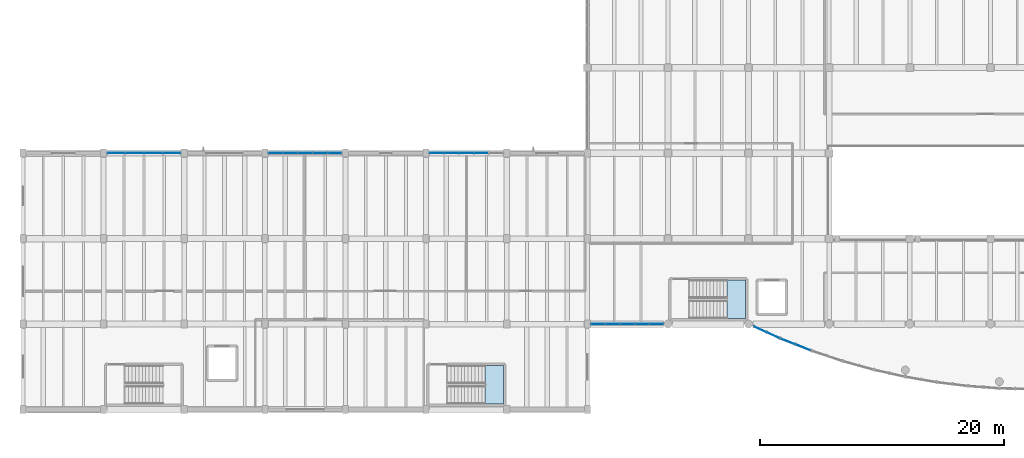
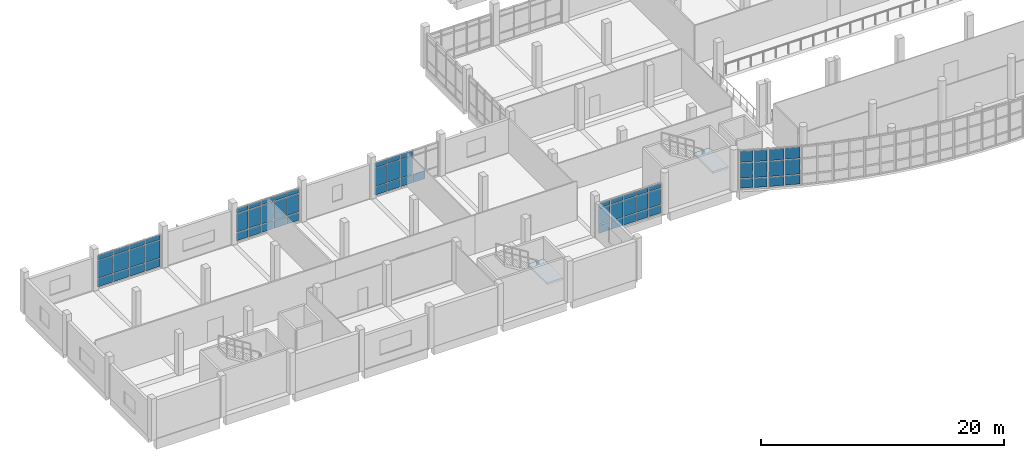
# One storey, part 36 of 67: 64 plates, 2 slabs, 8 elements without a shape of their own.
"""IFC4 building model written with IfcOpenShell, lengths in metres."""

from ifc_helpers import new_model, si_unit, direction, frame, origin, origin_2d, place, context, subcontext, project, spatial, polyline, rectangle, outline, extrude, material, layer, layer_set, type_object, element, aggregate, save


model = new_model("IFC4")

# Units and contexts
model_context = context("Model", 3, precision=1e-05, world=origin(), true_north=direction((0.0, 1.0)))
body_context = subcontext(model_context, "Body", "Model", "MODEL_VIEW")
ifc_project = project(units=[si_unit("LENGTHUNIT", "METRE"), si_unit("AREAUNIT", "SQUARE_METRE"), si_unit("VOLUMEUNIT", "CUBIC_METRE"), si_unit("PLANEANGLEUNIT", "RADIAN"), si_unit("MASSUNIT", "GRAM", prefix="KILO")], contexts=[model_context])

# Site, building, storey
site_placement = place(None, origin())
site = spatial("IfcSite", under=ifc_project, at=site_placement, CompositionType="ELEMENT")
building_placement = place(site_placement, origin())
building = spatial("IfcBuilding", under=site, at=building_placement, Name="Ciguamira Faculty of Natural Sciences", CompositionType="ELEMENT")
storey_placement = place(building_placement, frame((0.0, 0.0, 8.39990234375)))
storey = spatial("IfcBuildingStorey", under=building, at=storey_placement, Name="L02", CompositionType="ELEMENT", Elevation=8.39990234375)

# Curtain wall, plates
ifc_material_1 = material(Name="Anodized aluminium curtain wall", Category="aluminium")
curtain_wall_type_1 = type_object("IfcCurtainWallType", Name="CurtainWall_CW-09", PredefinedType="USERDEFINED", material=ifc_material_1)
curtain_wall_1_placement = place(storey_placement, origin())
curtain_wall_1 = element("IfcCurtainWall", 1, at=curtain_wall_1_placement, inside=storey, type_object=curtain_wall_type_1, Name="L02 unitised curtain wall 0057", ObjectType="UNITISED CURTAIN WALL", PredefinedType="USERDEFINED")
ifc_material_2 = material(Name="Low-E laminated solar glass", Category="glass")
ifc_layer_1 = layer(ifc_material_2, 0.028076171875, Name="Low-E laminated solar glass")
ifc_layer_set_1 = layer_set([ifc_layer_1], Name="Low-E laminated solar glass")
plate_type_1 = type_object("IfcPlateType", Name="CWPanel_CWP-01", PredefinedType="CURTAIN_PANEL", material=ifc_layer_set_1)
plate_1_placement = place(storey_placement, frame((25.179931640625, 24.0, 0.080078125), z_axis=(0.0, 0.0, 1.0), x_axis=(1.0, 0.0, 0.0)))
plate_1 = element("IfcPlate", 2, at=plate_1_placement, type_object=plate_type_1, Name="CW-09 panel 1.1", PredefinedType="CURTAIN_PANEL", context=body_context, shape_type="SweptSolid", body=[
    extrude(rectangle(XDim=1.10009765625, YDim=0.028076171875, at=origin_2d()), origin(), (0.0, 0.0, 1.0), 0.780029296875),
])
plate_2_placement = place(storey_placement, frame((25.179931640625, 24.0, 0.940185546875), z_axis=(0.0, 0.0, 1.0), x_axis=(1.0, 0.0, 0.0)))
plate_2 = element("IfcPlate", 3, at=plate_2_placement, type_object=plate_type_1, Name="CW-09 panel 1.2", PredefinedType="CURTAIN_PANEL", context=body_context, shape_type="SweptSolid", body=[
    extrude(rectangle(XDim=1.10009765625, YDim=0.028076171875, at=origin_2d()), origin(), (0.0, 0.0, 1.0), 1.8349609375),
])
plate_3_placement = place(storey_placement, frame((25.179931640625, 24.0, 2.85498046875), z_axis=(0.0, 0.0, 1.0), x_axis=(1.0, 0.0, 0.0)))
plate_3 = element("IfcPlate", 4, at=plate_3_placement, type_object=plate_type_1, Name="CW-09 panel 1.3", PredefinedType="CURTAIN_PANEL", context=body_context, shape_type="SweptSolid", body=[
    extrude(rectangle(XDim=1.10009765625, YDim=0.028076171875, at=origin_2d()), origin(), (0.0, 0.0, 1.0), 0.429931640625),
])
plate_4_placement = place(storey_placement, frame((26.3798828125, 24.0, 0.080078125), z_axis=(0.0, 0.0, 1.0), x_axis=(1.0, 0.0, 0.0)))
plate_4 = element("IfcPlate", 5, at=plate_4_placement, type_object=plate_type_1, Name="CW-09 panel 2.1", PredefinedType="CURTAIN_PANEL", context=body_context, shape_type="SweptSolid", body=[
    extrude(rectangle(XDim=1.139892578125, YDim=0.028076171875, at=origin_2d()), origin(), (0.0, 0.0, 1.0), 0.780029296875),
])
plate_5_placement = place(storey_placement, frame((26.3798828125, 24.0, 0.940185546875), z_axis=(0.0, 0.0, 1.0), x_axis=(1.0, 0.0, 0.0)))
plate_5 = element("IfcPlate", 6, at=plate_5_placement, type_object=plate_type_1, Name="CW-09 panel 2.2", PredefinedType="CURTAIN_PANEL", context=body_context, shape_type="SweptSolid", body=[
    extrude(rectangle(XDim=1.139892578125, YDim=0.028076171875, at=origin_2d()), origin(), (0.0, 0.0, 1.0), 1.8349609375),
])
plate_6_placement = place(storey_placement, frame((26.3798828125, 24.0, 2.85498046875), z_axis=(0.0, 0.0, 1.0), x_axis=(1.0, 0.0, 0.0)))
plate_6 = element("IfcPlate", 7, at=plate_6_placement, type_object=plate_type_1, Name="CW-09 panel 2.3", PredefinedType="CURTAIN_PANEL", context=body_context, shape_type="SweptSolid", body=[
    extrude(rectangle(XDim=1.139892578125, YDim=0.028076171875, at=origin_2d()), origin(), (0.0, 0.0, 1.0), 0.429931640625),
])
plate_7_placement = place(storey_placement, frame((27.60009765625, 24.0, 0.080078125), z_axis=(0.0, 0.0, 1.0), x_axis=(1.0, 0.0, 0.0)))
plate_7 = element("IfcPlate", 8, at=plate_7_placement, type_object=plate_type_1, Name="CW-09 panel 3.1", PredefinedType="CURTAIN_PANEL", context=body_context, shape_type="SweptSolid", body=[
    extrude(rectangle(XDim=1.139892578125, YDim=0.028076171875, at=origin_2d()), origin(), (0.0, 0.0, 1.0), 0.780029296875),
])
plate_8_placement = place(storey_placement, frame((27.60009765625, 24.0, 0.940185546875), z_axis=(0.0, 0.0, 1.0), x_axis=(1.0, 0.0, 0.0)))
plate_8 = element("IfcPlate", 9, at=plate_8_placement, type_object=plate_type_1, Name="CW-09 panel 3.2", PredefinedType="CURTAIN_PANEL", context=body_context, shape_type="SweptSolid", body=[
    extrude(rectangle(XDim=1.139892578125, YDim=0.028076171875, at=origin_2d()), origin(), (0.0, 0.0, 1.0), 1.8349609375),
])
plate_9_placement = place(storey_placement, frame((27.60009765625, 24.0, 2.85498046875), z_axis=(0.0, 0.0, 1.0), x_axis=(1.0, 0.0, 0.0)))
plate_9 = element("IfcPlate", 10, at=plate_9_placement, type_object=plate_type_1, Name="CW-09 panel 3.3", PredefinedType="CURTAIN_PANEL", context=body_context, shape_type="SweptSolid", body=[
    extrude(rectangle(XDim=1.139892578125, YDim=0.028076171875, at=origin_2d()), origin(), (0.0, 0.0, 1.0), 0.429931640625),
])
plate_10_placement = place(storey_placement, frame((28.820068359375, 24.0, 0.080078125), z_axis=(0.0, 0.0, 1.0), x_axis=(1.0, 0.0, 0.0)))
plate_10 = element("IfcPlate", 11, at=plate_10_placement, type_object=plate_type_1, Name="CW-09 panel 4.1", PredefinedType="CURTAIN_PANEL", context=body_context, shape_type="SweptSolid", body=[
    extrude(rectangle(XDim=1.139892578125, YDim=0.028076171875, at=origin_2d()), origin(), (0.0, 0.0, 1.0), 0.780029296875),
])
plate_11_placement = place(storey_placement, frame((28.820068359375, 24.0, 0.940185546875), z_axis=(0.0, 0.0, 1.0), x_axis=(1.0, 0.0, 0.0)))
plate_11 = element("IfcPlate", 12, at=plate_11_placement, type_object=plate_type_1, Name="CW-09 panel 4.2", PredefinedType="CURTAIN_PANEL", context=body_context, shape_type="SweptSolid", body=[
    extrude(rectangle(XDim=1.139892578125, YDim=0.028076171875, at=origin_2d()), origin(), (0.0, 0.0, 1.0), 1.8349609375),
])
plate_12_placement = place(storey_placement, frame((28.820068359375, 24.0, 2.85498046875), z_axis=(0.0, 0.0, 1.0), x_axis=(1.0, 0.0, 0.0)))
plate_12 = element("IfcPlate", 13, at=plate_12_placement, type_object=plate_type_1, Name="CW-09 panel 4.3", PredefinedType="CURTAIN_PANEL", context=body_context, shape_type="SweptSolid", body=[
    extrude(rectangle(XDim=1.139892578125, YDim=0.028076171875, at=origin_2d()), origin(), (0.0, 0.0, 1.0), 0.429931640625),
])
plate_13_placement = place(storey_placement, frame((30.02001953125, 24.0, 0.080078125), z_axis=(0.0, 0.0, 1.0), x_axis=(1.0, 0.0, 0.0)))
plate_13 = element("IfcPlate", 14, at=plate_13_placement, type_object=plate_type_1, Name="CW-09 panel 5.1", PredefinedType="CURTAIN_PANEL", context=body_context, shape_type="SweptSolid", body=[
    extrude(rectangle(XDim=1.10009765625, YDim=0.028076171875, at=origin_2d()), origin(), (0.0, 0.0, 1.0), 0.780029296875),
])
plate_14_placement = place(storey_placement, frame((30.02001953125, 24.0, 0.940185546875), z_axis=(0.0, 0.0, 1.0), x_axis=(1.0, 0.0, 0.0)))
plate_14 = element("IfcPlate", 15, at=plate_14_placement, type_object=plate_type_1, Name="CW-09 panel 5.2", PredefinedType="CURTAIN_PANEL", context=body_context, shape_type="SweptSolid", body=[
    extrude(rectangle(XDim=1.10009765625, YDim=0.028076171875, at=origin_2d()), origin(), (0.0, 0.0, 1.0), 1.8349609375),
])
plate_15_placement = place(storey_placement, frame((30.02001953125, 24.0, 2.85498046875), z_axis=(0.0, 0.0, 1.0), x_axis=(1.0, 0.0, 0.0)))
plate_15 = element("IfcPlate", 16, at=plate_15_placement, type_object=plate_type_1, Name="CW-09 panel 5.3", PredefinedType="CURTAIN_PANEL", context=body_context, shape_type="SweptSolid", body=[
    extrude(rectangle(XDim=1.10009765625, YDim=0.028076171875, at=origin_2d()), origin(), (0.0, 0.0, 1.0), 0.429931640625),
])
aggregate(curtain_wall_1, [plate_1, plate_2, plate_3, plate_4, plate_5, plate_6, plate_7, plate_8, plate_9, plate_10, plate_11, plate_12, plate_13, plate_14, plate_15])

curtain_wall_type_2 = type_object("IfcCurtainWallType", Name="CurtainWall_CW-06", PredefinedType="USERDEFINED", material=ifc_material_1)
curtain_wall_2_placement = place(storey_placement, origin())
curtain_wall_2 = element("IfcCurtainWall", 17, at=curtain_wall_2_placement, inside=storey, type_object=curtain_wall_type_2, Name="L02 south gallery curved curtain wall 01", ObjectType="UNITISED CURTAIN WALL", PredefinedType="USERDEFINED")
plate_16_placement = place(storey_placement, frame((64.8466796875, 9.5703125, 0.080078125), z_axis=(0.0, 0.0, 1.0), x_axis=(0.910580503774, -0.41333176281, 0.0)))
plate_16 = element("IfcPlate", 18, at=plate_16_placement, type_object=plate_type_1, Name="CW-06 panel 1.1", PredefinedType="CURTAIN_PANEL", context=body_context, shape_type="SweptSolid", body=[
    extrude(rectangle(XDim=1.079345703125, YDim=0.028076171875, at=origin_2d()), origin(), (0.0, 0.0, 1.0), 0.929931640625),
])
plate_17_placement = place(storey_placement, frame((64.8466796875, 9.5703125, 1.090087890625), z_axis=(0.0, 0.0, 1.0), x_axis=(0.910580503774, -0.41333176281, 0.0)))
plate_17 = element("IfcPlate", 19, at=plate_17_placement, type_object=plate_type_1, Name="CW-06 panel 1.2", PredefinedType="CURTAIN_PANEL", context=body_context, shape_type="SweptSolid", body=[
    extrude(rectangle(XDim=1.079345703125, YDim=0.028076171875, at=origin_2d()), origin(), (0.0, 0.0, 1.0), 1.52001953125),
])
plate_18_placement = place(storey_placement, frame((64.8466796875, 9.5703125, 2.690185546875), z_axis=(0.0, 0.0, 1.0), x_axis=(0.910580503774, -0.41333176281, 0.0)))
plate_18 = element("IfcPlate", 20, at=plate_18_placement, type_object=plate_type_1, Name="CW-06 panel 1.3", PredefinedType="CURTAIN_PANEL", context=body_context, shape_type="SweptSolid", body=[
    extrude(rectangle(XDim=1.079345703125, YDim=0.028076171875, at=origin_2d()), origin(), (0.0, 0.0, 1.0), 1.1298828125),
])
plate_19_placement = place(storey_placement, frame((65.90234375, 9.091064453125, 0.080078125), z_axis=(0.0, 0.0, 1.0), x_axis=(0.910580503774, -0.41333176281, 0.0)))
plate_19 = element("IfcPlate", 21, at=plate_19_placement, type_object=plate_type_1, Name="CW-06 panel 2.1", PredefinedType="CURTAIN_PANEL", context=body_context, shape_type="SweptSolid", body=[
    extrude(rectangle(XDim=1.079345703125, YDim=0.028076171875, at=origin_2d()), origin(), (0.0, 0.0, 1.0), 0.929931640625),
])
plate_20_placement = place(storey_placement, frame((65.90234375, 9.091064453125, 1.090087890625), z_axis=(0.0, 0.0, 1.0), x_axis=(0.910580503774, -0.41333176281, 0.0)))
plate_20 = element("IfcPlate", 22, at=plate_20_placement, type_object=plate_type_1, Name="CW-06 panel 2.2", PredefinedType="CURTAIN_PANEL", context=body_context, shape_type="SweptSolid", body=[
    extrude(rectangle(XDim=1.079345703125, YDim=0.028076171875, at=origin_2d()), origin(), (0.0, 0.0, 1.0), 1.52001953125),
])
plate_21_placement = place(storey_placement, frame((65.90234375, 9.091064453125, 2.690185546875), z_axis=(0.0, 0.0, 1.0), x_axis=(0.910580503774, -0.41333176281, 0.0)))
plate_21 = element("IfcPlate", 23, at=plate_21_placement, type_object=plate_type_1, Name="CW-06 panel 2.3", PredefinedType="CURTAIN_PANEL", context=body_context, shape_type="SweptSolid", body=[
    extrude(rectangle(XDim=1.079345703125, YDim=0.028076171875, at=origin_2d()), origin(), (0.0, 0.0, 1.0), 1.1298828125),
])
aggregate(curtain_wall_2, [plate_16, plate_17, plate_18, plate_19, plate_20, plate_21])

curtain_wall_type_3 = type_object("IfcCurtainWallType", Name="CurtainWall_CW-07", PredefinedType="USERDEFINED", material=ifc_material_1)
curtain_wall_3_placement = place(storey_placement, origin())
curtain_wall_3 = element("IfcCurtainWall", 24, at=curtain_wall_3_placement, inside=storey, type_object=curtain_wall_type_3, Name="L02 south gallery curved curtain wall 02", ObjectType="UNITISED CURTAIN WALL", PredefinedType="USERDEFINED")
plate_22_placement = place(storey_placement, frame((67.126953125, 8.576171875, 0.080078125), z_axis=(0.0, 0.0, 1.0), x_axis=(0.931122296337, -0.36470710065, 0.0)))
plate_22 = element("IfcPlate", 25, at=plate_22_placement, type_object=plate_type_1, Name="CW-07 panel 1.1", PredefinedType="CURTAIN_PANEL", context=body_context, shape_type="SweptSolid", body=[
    extrude(rectangle(XDim=1.25830078125, YDim=0.028076171875, at=origin_2d()), origin(), (0.0, 0.0, 1.0), 0.929931640625),
])
plate_23_placement = place(storey_placement, frame((67.126953125, 8.576171875, 1.090087890625), z_axis=(0.0, 0.0, 1.0), x_axis=(0.931122296337, -0.36470710065, 0.0)))
plate_23 = element("IfcPlate", 26, at=plate_23_placement, type_object=plate_type_1, Name="CW-07 panel 1.2", PredefinedType="CURTAIN_PANEL", context=body_context, shape_type="SweptSolid", body=[
    extrude(rectangle(XDim=1.25830078125, YDim=0.028076171875, at=origin_2d()), origin(), (0.0, 0.0, 1.0), 1.52001953125),
])
plate_24_placement = place(storey_placement, frame((67.126953125, 8.576171875, 2.690185546875), z_axis=(0.0, 0.0, 1.0), x_axis=(0.931122296337, -0.36470710065, 0.0)))
plate_24 = element("IfcPlate", 27, at=plate_24_placement, type_object=plate_type_1, Name="CW-07 panel 1.3", PredefinedType="CURTAIN_PANEL", context=body_context, shape_type="SweptSolid", body=[
    extrude(rectangle(XDim=1.25830078125, YDim=0.028076171875, at=origin_2d()), origin(), (0.0, 0.0, 1.0), 1.1298828125),
])
plate_25_placement = place(storey_placement, frame((68.373046875, 8.088134765625, 0.080078125), z_axis=(0.0, 0.0, 1.0), x_axis=(0.931122296337, -0.36470710065, 0.0)))
plate_25 = element("IfcPlate", 28, at=plate_25_placement, type_object=plate_type_1, Name="CW-07 panel 2.1", PredefinedType="CURTAIN_PANEL", context=body_context, shape_type="SweptSolid", body=[
    extrude(rectangle(XDim=1.25830078125, YDim=0.028076171875, at=origin_2d()), origin(), (0.0, 0.0, 1.0), 0.929931640625),
])
plate_26_placement = place(storey_placement, frame((68.373046875, 8.088134765625, 1.090087890625), z_axis=(0.0, 0.0, 1.0), x_axis=(0.931122296337, -0.36470710065, 0.0)))
plate_26 = element("IfcPlate", 29, at=plate_26_placement, type_object=plate_type_1, Name="CW-07 panel 2.2", PredefinedType="CURTAIN_PANEL", context=body_context, shape_type="SweptSolid", body=[
    extrude(rectangle(XDim=1.25830078125, YDim=0.028076171875, at=origin_2d()), origin(), (0.0, 0.0, 1.0), 1.52001953125),
])
plate_27_placement = place(storey_placement, frame((68.373046875, 8.088134765625, 2.690185546875), z_axis=(0.0, 0.0, 1.0), x_axis=(0.931122296337, -0.36470710065, 0.0)))
plate_27 = element("IfcPlate", 30, at=plate_27_placement, type_object=plate_type_1, Name="CW-07 panel 2.3", PredefinedType="CURTAIN_PANEL", context=body_context, shape_type="SweptSolid", body=[
    extrude(rectangle(XDim=1.25830078125, YDim=0.028076171875, at=origin_2d()), origin(), (0.0, 0.0, 1.0), 1.1298828125),
])
aggregate(curtain_wall_3, [plate_22, plate_23, plate_24, plate_25, plate_26, plate_27])

curtain_wall_4_placement = place(storey_placement, origin())
curtain_wall_4 = element("IfcCurtainWall", 31, at=curtain_wall_4_placement, inside=storey, type_object=curtain_wall_type_2, Name="L02 unitised curtain wall 0054", ObjectType="UNITISED CURTAIN WALL", PredefinedType="USERDEFINED")
ifc_layer_2 = layer(ifc_material_2, 0.035888671875, Name="Low-E laminated solar glass")
ifc_layer_set_2 = layer_set([ifc_layer_2], Name="Low-E laminated solar glass")
plate_type_2 = type_object("IfcPlateType", Name="CWPanel_CWP-02", PredefinedType="CURTAIN_PANEL", material=ifc_layer_set_2)
plate_28_placement = place(storey_placement, frame((51.572509765625, 10.0, 0.080078125), z_axis=(0.0, 0.0, 1.0), x_axis=(1.0, 0.0, 0.0)))
plate_28 = element("IfcPlate", 32, at=plate_28_placement, type_object=plate_type_2, Name="CW-06 panel 1.1", PredefinedType="CURTAIN_PANEL", context=body_context, shape_type="SweptSolid", body=[
    extrude(rectangle(XDim=1.0849609375, YDim=0.035888671875, at=origin_2d()), origin(), (0.0, 0.0, 1.0), 0.780029296875),
])
plate_29_placement = place(storey_placement, frame((51.572509765625, 10.0, 0.940185546875), z_axis=(0.0, 0.0, 1.0), x_axis=(1.0, 0.0, 0.0)))
plate_29 = element("IfcPlate", 33, at=plate_29_placement, type_object=plate_type_2, Name="CW-06 panel 1.2", PredefinedType="CURTAIN_PANEL", context=body_context, shape_type="SweptSolid", body=[
    extrude(rectangle(XDim=1.0849609375, YDim=0.035888671875, at=origin_2d()), origin(), (0.0, 0.0, 1.0), 1.60498046875),
])
plate_30_placement = place(storey_placement, frame((51.572509765625, 10.0, 2.625), z_axis=(0.0, 0.0, 1.0), x_axis=(1.0, 0.0, 0.0)))
plate_30 = element("IfcPlate", 34, at=plate_30_placement, type_object=plate_type_2, Name="CW-06 panel 1.3", PredefinedType="CURTAIN_PANEL", context=body_context, shape_type="SweptSolid", body=[
    extrude(rectangle(XDim=1.0849609375, YDim=0.035888671875, at=origin_2d()), origin(), (0.0, 0.0, 1.0), 0.429931640625),
])
plate_31_placement = place(storey_placement, frame((52.757568359375, 10.0, 0.080078125), z_axis=(0.0, 0.0, 1.0), x_axis=(1.0, 0.0, 0.0)))
plate_31 = element("IfcPlate", 35, at=plate_31_placement, type_object=plate_type_2, Name="CW-06 panel 2.1", PredefinedType="CURTAIN_PANEL", context=body_context, shape_type="SweptSolid", body=[
    extrude(rectangle(XDim=1.125, YDim=0.035888671875, at=origin_2d()), origin(), (0.0, 0.0, 1.0), 0.780029296875),
])
plate_32_placement = place(storey_placement, frame((52.757568359375, 10.0, 0.940185546875), z_axis=(0.0, 0.0, 1.0), x_axis=(1.0, 0.0, 0.0)))
plate_32 = element("IfcPlate", 36, at=plate_32_placement, type_object=plate_type_2, Name="CW-06 panel 2.2", PredefinedType="CURTAIN_PANEL", context=body_context, shape_type="SweptSolid", body=[
    extrude(rectangle(XDim=1.125, YDim=0.035888671875, at=origin_2d()), origin(), (0.0, 0.0, 1.0), 1.60498046875),
])
plate_33_placement = place(storey_placement, frame((52.757568359375, 10.0, 2.625), z_axis=(0.0, 0.0, 1.0), x_axis=(1.0, 0.0, 0.0)))
plate_33 = element("IfcPlate", 37, at=plate_33_placement, type_object=plate_type_2, Name="CW-06 panel 2.3", PredefinedType="CURTAIN_PANEL", context=body_context, shape_type="SweptSolid", body=[
    extrude(rectangle(XDim=1.125, YDim=0.035888671875, at=origin_2d()), origin(), (0.0, 0.0, 1.0), 0.429931640625),
])
plate_34_placement = place(storey_placement, frame((53.96240234375, 10.0, 0.080078125), z_axis=(0.0, 0.0, 1.0), x_axis=(1.0, 0.0, 0.0)))
plate_34 = element("IfcPlate", 38, at=plate_34_placement, type_object=plate_type_2, Name="CW-06 panel 3.1", PredefinedType="CURTAIN_PANEL", context=body_context, shape_type="SweptSolid", body=[
    extrude(rectangle(XDim=1.125, YDim=0.035888671875, at=origin_2d()), origin(), (0.0, 0.0, 1.0), 0.780029296875),
])
plate_35_placement = place(storey_placement, frame((53.96240234375, 10.0, 0.940185546875), z_axis=(0.0, 0.0, 1.0), x_axis=(1.0, 0.0, 0.0)))
plate_35 = element("IfcPlate", 39, at=plate_35_placement, type_object=plate_type_2, Name="CW-06 panel 3.2", PredefinedType="CURTAIN_PANEL", context=body_context, shape_type="SweptSolid", body=[
    extrude(rectangle(XDim=1.125, YDim=0.035888671875, at=origin_2d()), origin(), (0.0, 0.0, 1.0), 1.60498046875),
])
plate_36_placement = place(storey_placement, frame((53.96240234375, 10.0, 2.625), z_axis=(0.0, 0.0, 1.0), x_axis=(1.0, 0.0, 0.0)))
plate_36 = element("IfcPlate", 40, at=plate_36_placement, type_object=plate_type_2, Name="CW-06 panel 3.3", PredefinedType="CURTAIN_PANEL", context=body_context, shape_type="SweptSolid", body=[
    extrude(rectangle(XDim=1.125, YDim=0.035888671875, at=origin_2d()), origin(), (0.0, 0.0, 1.0), 0.429931640625),
])
plate_37_placement = place(storey_placement, frame((55.16748046875, 10.0, 0.080078125), z_axis=(0.0, 0.0, 1.0), x_axis=(1.0, 0.0, 0.0)))
plate_37 = element("IfcPlate", 41, at=plate_37_placement, type_object=plate_type_2, Name="CW-06 panel 4.1", PredefinedType="CURTAIN_PANEL", context=body_context, shape_type="SweptSolid", body=[
    extrude(rectangle(XDim=1.125, YDim=0.035888671875, at=origin_2d()), origin(), (0.0, 0.0, 1.0), 0.780029296875),
])
plate_38_placement = place(storey_placement, frame((55.16748046875, 10.0, 0.940185546875), z_axis=(0.0, 0.0, 1.0), x_axis=(1.0, 0.0, 0.0)))
plate_38 = element("IfcPlate", 42, at=plate_38_placement, type_object=plate_type_2, Name="CW-06 panel 4.2", PredefinedType="CURTAIN_PANEL", context=body_context, shape_type="SweptSolid", body=[
    extrude(rectangle(XDim=1.125, YDim=0.035888671875, at=origin_2d()), origin(), (0.0, 0.0, 1.0), 1.60498046875),
])
plate_39_placement = place(storey_placement, frame((55.16748046875, 10.0, 2.625), z_axis=(0.0, 0.0, 1.0), x_axis=(1.0, 0.0, 0.0)))
plate_39 = element("IfcPlate", 43, at=plate_39_placement, type_object=plate_type_2, Name="CW-06 panel 4.3", PredefinedType="CURTAIN_PANEL", context=body_context, shape_type="SweptSolid", body=[
    extrude(rectangle(XDim=1.125, YDim=0.035888671875, at=origin_2d()), origin(), (0.0, 0.0, 1.0), 0.429931640625),
])
plate_40_placement = place(storey_placement, frame((56.3525390625, 10.0, 0.080078125), z_axis=(0.0, 0.0, 1.0), x_axis=(1.0, 0.0, 0.0)))
plate_40 = element("IfcPlate", 44, at=plate_40_placement, type_object=plate_type_2, Name="CW-06 panel 5.1", PredefinedType="CURTAIN_PANEL", context=body_context, shape_type="SweptSolid", body=[
    extrude(rectangle(XDim=1.0849609375, YDim=0.035888671875, at=origin_2d()), origin(), (0.0, 0.0, 1.0), 0.780029296875),
])
plate_41_placement = place(storey_placement, frame((56.3525390625, 10.0, 0.940185546875), z_axis=(0.0, 0.0, 1.0), x_axis=(1.0, 0.0, 0.0)))
plate_41 = element("IfcPlate", 45, at=plate_41_placement, type_object=plate_type_2, Name="CW-06 panel 5.2", PredefinedType="CURTAIN_PANEL", context=body_context, shape_type="SweptSolid", body=[
    extrude(rectangle(XDim=1.0849609375, YDim=0.035888671875, at=origin_2d()), origin(), (0.0, 0.0, 1.0), 1.60498046875),
])
plate_42_placement = place(storey_placement, frame((56.3525390625, 10.0, 2.625), z_axis=(0.0, 0.0, 1.0), x_axis=(1.0, 0.0, 0.0)))
plate_42 = element("IfcPlate", 46, at=plate_42_placement, type_object=plate_type_2, Name="CW-06 panel 5.3", PredefinedType="CURTAIN_PANEL", context=body_context, shape_type="SweptSolid", body=[
    extrude(rectangle(XDim=1.0849609375, YDim=0.035888671875, at=origin_2d()), origin(), (0.0, 0.0, 1.0), 0.429931640625),
])
aggregate(curtain_wall_4, [plate_28, plate_29, plate_30, plate_31, plate_32, plate_33, plate_34, plate_35, plate_36, plate_37, plate_38, plate_39, plate_40, plate_41, plate_42])

curtain_wall_type_4 = type_object("IfcCurtainWallType", Name="CurtainWall_CW-08", PredefinedType="USERDEFINED", material=ifc_material_1)
curtain_wall_5_placement = place(storey_placement, origin())
curtain_wall_5 = element("IfcCurtainWall", 47, at=curtain_wall_5_placement, inside=storey, type_object=curtain_wall_type_4, Name="L02 unitised curtain wall 0056", ObjectType="UNITISED CURTAIN WALL", PredefinedType="USERDEFINED")
plate_43_placement = place(storey_placement, frame((12.1298828125, 24.0, 0.070068359375), z_axis=(0.0, 0.0, 1.0), x_axis=(1.0, 0.0, 0.0)))
plate_43 = element("IfcPlate", 48, at=plate_43_placement, type_object=plate_type_2, Name="CW-08 panel 1.1", PredefinedType="CURTAIN_PANEL", context=body_context, shape_type="SweptSolid", body=[
    extrude(rectangle(XDim=1.419921875, YDim=0.035888671875, at=origin_2d()), origin(), (0.0, 0.0, 1.0), 0.794921875),
])
plate_44_placement = place(storey_placement, frame((12.1298828125, 24.0, 0.93505859375), z_axis=(0.0, 0.0, 1.0), x_axis=(1.0, 0.0, 0.0)))
plate_44 = element("IfcPlate", 49, at=plate_44_placement, type_object=plate_type_2, Name="CW-08 panel 1.2", PredefinedType="CURTAIN_PANEL", context=body_context, shape_type="SweptSolid", body=[
    extrude(rectangle(XDim=1.419921875, YDim=0.035888671875, at=origin_2d()), origin(), (0.0, 0.0, 1.0), 1.764892578125),
])
plate_45_placement = place(storey_placement, frame((12.1298828125, 24.0, 2.77001953125), z_axis=(0.0, 0.0, 1.0), x_axis=(1.0, 0.0, 0.0)))
plate_45 = element("IfcPlate", 50, at=plate_45_placement, type_object=plate_type_2, Name="CW-08 panel 1.3", PredefinedType="CURTAIN_PANEL", context=body_context, shape_type="SweptSolid", body=[
    extrude(rectangle(XDim=1.419921875, YDim=0.035888671875, at=origin_2d()), origin(), (0.0, 0.0, 1.0), 0.445068359375),
])
plate_46_placement = place(storey_placement, frame((13.637451171875, 24.0, 0.070068359375), z_axis=(0.0, 0.0, 1.0), x_axis=(1.0, 0.0, 0.0)))
plate_46 = element("IfcPlate", 51, at=plate_46_placement, type_object=plate_type_2, Name="CW-08 panel 2.1", PredefinedType="CURTAIN_PANEL", context=body_context, shape_type="SweptSolid", body=[
    extrude(rectangle(XDim=1.455078125, YDim=0.035888671875, at=origin_2d()), origin(), (0.0, 0.0, 1.0), 0.794921875),
])
plate_47_placement = place(storey_placement, frame((13.637451171875, 24.0, 0.93505859375), z_axis=(0.0, 0.0, 1.0), x_axis=(1.0, 0.0, 0.0)))
plate_47 = element("IfcPlate", 52, at=plate_47_placement, type_object=plate_type_2, Name="CW-08 panel 2.2", PredefinedType="CURTAIN_PANEL", context=body_context, shape_type="SweptSolid", body=[
    extrude(rectangle(XDim=1.455078125, YDim=0.035888671875, at=origin_2d()), origin(), (0.0, 0.0, 1.0), 1.764892578125),
])
plate_48_placement = place(storey_placement, frame((13.637451171875, 24.0, 2.77001953125), z_axis=(0.0, 0.0, 1.0), x_axis=(1.0, 0.0, 0.0)))
plate_48 = element("IfcPlate", 53, at=plate_48_placement, type_object=plate_type_2, Name="CW-08 panel 2.3", PredefinedType="CURTAIN_PANEL", context=body_context, shape_type="SweptSolid", body=[
    extrude(rectangle(XDim=1.455078125, YDim=0.035888671875, at=origin_2d()), origin(), (0.0, 0.0, 1.0), 0.445068359375),
])
plate_49_placement = place(storey_placement, frame((15.16259765625, 24.0, 0.070068359375), z_axis=(0.0, 0.0, 1.0), x_axis=(1.0, 0.0, 0.0)))
plate_49 = element("IfcPlate", 54, at=plate_49_placement, type_object=plate_type_2, Name="CW-08 panel 3.1", PredefinedType="CURTAIN_PANEL", context=body_context, shape_type="SweptSolid", body=[
    extrude(rectangle(XDim=1.455078125, YDim=0.035888671875, at=origin_2d()), origin(), (0.0, 0.0, 1.0), 0.794921875),
])
plate_50_placement = place(storey_placement, frame((15.16259765625, 24.0, 0.93505859375), z_axis=(0.0, 0.0, 1.0), x_axis=(1.0, 0.0, 0.0)))
plate_50 = element("IfcPlate", 55, at=plate_50_placement, type_object=plate_type_2, Name="CW-08 panel 3.2", PredefinedType="CURTAIN_PANEL", context=body_context, shape_type="SweptSolid", body=[
    extrude(rectangle(XDim=1.455078125, YDim=0.035888671875, at=origin_2d()), origin(), (0.0, 0.0, 1.0), 1.764892578125),
])
plate_51_placement = place(storey_placement, frame((15.16259765625, 24.0, 2.77001953125), z_axis=(0.0, 0.0, 1.0), x_axis=(1.0, 0.0, 0.0)))
plate_51 = element("IfcPlate", 56, at=plate_51_placement, type_object=plate_type_2, Name="CW-08 panel 3.3", PredefinedType="CURTAIN_PANEL", context=body_context, shape_type="SweptSolid", body=[
    extrude(rectangle(XDim=1.455078125, YDim=0.035888671875, at=origin_2d()), origin(), (0.0, 0.0, 1.0), 0.445068359375),
])
plate_52_placement = place(storey_placement, frame((16.669921875, 24.0, 0.070068359375), z_axis=(0.0, 0.0, 1.0), x_axis=(1.0, 0.0, 0.0)))
plate_52 = element("IfcPlate", 57, at=plate_52_placement, type_object=plate_type_2, Name="CW-08 panel 4.1", PredefinedType="CURTAIN_PANEL", context=body_context, shape_type="SweptSolid", body=[
    extrude(rectangle(XDim=1.419921875, YDim=0.035888671875, at=origin_2d()), origin(), (0.0, 0.0, 1.0), 0.794921875),
])
plate_53_placement = place(storey_placement, frame((16.669921875, 24.0, 0.93505859375), z_axis=(0.0, 0.0, 1.0), x_axis=(1.0, 0.0, 0.0)))
plate_53 = element("IfcPlate", 58, at=plate_53_placement, type_object=plate_type_2, Name="CW-08 panel 4.2", PredefinedType="CURTAIN_PANEL", context=body_context, shape_type="SweptSolid", body=[
    extrude(rectangle(XDim=1.419921875, YDim=0.035888671875, at=origin_2d()), origin(), (0.0, 0.0, 1.0), 1.764892578125),
])
plate_54_placement = place(storey_placement, frame((16.669921875, 24.0, 2.77001953125), z_axis=(0.0, 0.0, 1.0), x_axis=(1.0, 0.0, 0.0)))
plate_54 = element("IfcPlate", 59, at=plate_54_placement, type_object=plate_type_2, Name="CW-08 panel 4.3", PredefinedType="CURTAIN_PANEL", context=body_context, shape_type="SweptSolid", body=[
    extrude(rectangle(XDim=1.419921875, YDim=0.035888671875, at=origin_2d()), origin(), (0.0, 0.0, 1.0), 0.445068359375),
])
aggregate(curtain_wall_5, [plate_43, plate_44, plate_45, plate_46, plate_47, plate_48, plate_49, plate_50, plate_51, plate_52, plate_53, plate_54])

curtain_wall_type_5 = type_object("IfcCurtainWallType", Name="CurtainWall_CW-10", PredefinedType="USERDEFINED", material=ifc_material_1)
curtain_wall_6_placement = place(storey_placement, origin())
curtain_wall_6 = element("IfcCurtainWall", 60, at=curtain_wall_6_placement, inside=storey, type_object=curtain_wall_type_5, Name="L02 unitised curtain wall 0058", ObjectType="UNITISED CURTAIN WALL", PredefinedType="USERDEFINED")
plate_55_placement = place(storey_placement, frame((38.375, 24.0, 0.06005859375), z_axis=(0.0, 0.0, 1.0), x_axis=(1.0, 0.0, 0.0)))
plate_55 = element("IfcPlate", 61, at=plate_55_placement, type_object=plate_type_2, Name="CW-10 panel 1.1", PredefinedType="CURTAIN_PANEL", context=body_context, shape_type="SweptSolid", body=[
    extrude(rectangle(XDim=1.1298828125, YDim=0.035888671875, at=origin_2d()), origin(), (0.0, 0.0, 1.0), 0.81005859375),
])
plate_56_placement = place(storey_placement, frame((38.375, 24.0, 0.93017578125), z_axis=(0.0, 0.0, 1.0), x_axis=(1.0, 0.0, 0.0)))
plate_56 = element("IfcPlate", 62, at=plate_56_placement, type_object=plate_type_2, Name="CW-10 panel 1.2", PredefinedType="CURTAIN_PANEL", context=body_context, shape_type="SweptSolid", body=[
    extrude(rectangle(XDim=1.1298828125, YDim=0.035888671875, at=origin_2d()), origin(), (0.0, 0.0, 1.0), 1.8349609375),
])
plate_57_placement = place(storey_placement, frame((38.375, 24.0, 2.8251953125), z_axis=(0.0, 0.0, 1.0), x_axis=(1.0, 0.0, 0.0)))
plate_57 = element("IfcPlate", 63, at=plate_57_placement, type_object=plate_type_2, Name="CW-10 panel 1.3", PredefinedType="CURTAIN_PANEL", context=body_context, shape_type="SweptSolid", body=[
    extrude(rectangle(XDim=1.1298828125, YDim=0.035888671875, at=origin_2d()), origin(), (0.0, 0.0, 1.0), 0.4599609375),
])
plate_58_placement = place(storey_placement, frame((39.580078125, 24.0, 0.06005859375), z_axis=(0.0, 0.0, 1.0), x_axis=(1.0, 0.0, 0.0)))
plate_58 = element("IfcPlate", 64, at=plate_58_placement, type_object=plate_type_2, Name="CW-10 panel 2.1", PredefinedType="CURTAIN_PANEL", context=body_context, shape_type="SweptSolid", body=[
    extrude(rectangle(XDim=1.159912109375, YDim=0.035888671875, at=origin_2d()), origin(), (0.0, 0.0, 1.0), 0.81005859375),
])
plate_59_placement = place(storey_placement, frame((39.580078125, 24.0, 0.93017578125), z_axis=(0.0, 0.0, 1.0), x_axis=(1.0, 0.0, 0.0)))
plate_59 = element("IfcPlate", 65, at=plate_59_placement, type_object=plate_type_2, Name="CW-10 panel 2.2", PredefinedType="CURTAIN_PANEL", context=body_context, shape_type="SweptSolid", body=[
    extrude(rectangle(XDim=1.159912109375, YDim=0.035888671875, at=origin_2d()), origin(), (0.0, 0.0, 1.0), 1.8349609375),
])
plate_60_placement = place(storey_placement, frame((39.580078125, 24.0, 2.8251953125), z_axis=(0.0, 0.0, 1.0), x_axis=(1.0, 0.0, 0.0)))
plate_60 = element("IfcPlate", 66, at=plate_60_placement, type_object=plate_type_2, Name="CW-10 panel 2.3", PredefinedType="CURTAIN_PANEL", context=body_context, shape_type="SweptSolid", body=[
    extrude(rectangle(XDim=1.159912109375, YDim=0.035888671875, at=origin_2d()), origin(), (0.0, 0.0, 1.0), 0.4599609375),
])
plate_61_placement = place(storey_placement, frame((40.800048828125, 24.0, 0.06005859375), z_axis=(0.0, 0.0, 1.0), x_axis=(1.0, 0.0, 0.0)))
plate_61 = element("IfcPlate", 67, at=plate_61_placement, type_object=plate_type_2, Name="CW-10 panel 3.1", PredefinedType="CURTAIN_PANEL", context=body_context, shape_type="SweptSolid", body=[
    extrude(rectangle(XDim=1.159912109375, YDim=0.035888671875, at=origin_2d()), origin(), (0.0, 0.0, 1.0), 0.81005859375),
])
plate_62_placement = place(storey_placement, frame((40.800048828125, 24.0, 0.93017578125), z_axis=(0.0, 0.0, 1.0), x_axis=(1.0, 0.0, 0.0)))
plate_62 = element("IfcPlate", 68, at=plate_62_placement, type_object=plate_type_2, Name="CW-10 panel 3.2", PredefinedType="CURTAIN_PANEL", context=body_context, shape_type="SweptSolid", body=[
    extrude(rectangle(XDim=1.159912109375, YDim=0.035888671875, at=origin_2d()), origin(), (0.0, 0.0, 1.0), 1.8349609375),
])
plate_63_placement = place(storey_placement, frame((40.800048828125, 24.0, 2.8251953125), z_axis=(0.0, 0.0, 1.0), x_axis=(1.0, 0.0, 0.0)))
plate_63 = element("IfcPlate", 69, at=plate_63_placement, type_object=plate_type_2, Name="CW-10 panel 3.3", PredefinedType="CURTAIN_PANEL", context=body_context, shape_type="SweptSolid", body=[
    extrude(rectangle(XDim=1.159912109375, YDim=0.035888671875, at=origin_2d()), origin(), (0.0, 0.0, 1.0), 0.4599609375),
])
plate_64_placement = place(storey_placement, frame((42.02001953125, 24.0, 0.06005859375), z_axis=(0.0, 0.0, 1.0), x_axis=(1.0, 0.0, 0.0)))
plate_64 = element("IfcPlate", 70, at=plate_64_placement, type_object=plate_type_2, Name="CW-10 panel 4.1", PredefinedType="CURTAIN_PANEL", context=body_context, shape_type="SweptSolid", body=[
    extrude(rectangle(XDim=1.159912109375, YDim=0.035888671875, at=origin_2d()), origin(), (0.0, 0.0, 1.0), 0.81005859375),
])
aggregate(curtain_wall_6, [plate_55, plate_56, plate_57, plate_58, plate_59, plate_60, plate_61, plate_62, plate_63, plate_64])

# Stair, slab
ifc_material_3 = material(Name="Concrete C40/50", Category="concrete")
stair_type_1 = type_object("IfcStairType", Name="Stair_STR-01", PredefinedType="HALF_TURN_STAIR", material=ifc_material_3)
stair_1_placement = place(storey_placement, origin())
stair_1 = element("IfcStair", 71, at=stair_1_placement, inside=storey, type_object=stair_type_1, Name="L02 Atrium West Exit Stair", PredefinedType="HALF_TURN_STAIR")
ifc_layer_3 = layer(ifc_material_3, 0.199951171875, Name="Concrete C40/50")
ifc_layer_set_3 = layer_set([ifc_layer_3], Name="Concrete C40/50")
slab_type = type_object("IfcSlabType", Name="StairLanding_SLD01", PredefinedType="LANDING", material=ifc_layer_set_3)
slab_1_placement = place(storey_placement, frame((0.0, 0.0, 1.900146484375)))
slab_1 = element("IfcSlab", 72, at=slab_1_placement, type_object=slab_type, Name="ST-A1 landing 1", PredefinedType="LANDING", context=body_context, shape_type="SweptSolid", body=[
    extrude(outline(polyline([(62.139892578125, 10.449951171875), (63.64990234375, 10.449951171875), (63.64990234375, 13.610107421875), (62.139892578125, 13.610107421875), (62.139892578125, 10.449951171875)])), origin(), (0.0, 0.0, 1.0), 0.199951171875),
])
aggregate(stair_1, [slab_1])

stair_type_2 = type_object("IfcStairType", Name="Stair_STR-02", PredefinedType="HALF_TURN_STAIR", material=ifc_material_3)
stair_2_placement = place(storey_placement, origin())
stair_2 = element("IfcStair", 73, at=stair_2_placement, inside=storey, type_object=stair_type_2, Name="L02 Commons East Exit Stair", PredefinedType="HALF_TURN_STAIR")
slab_2_placement = place(storey_placement, frame((0.0, 0.0, 1.900146484375)))
slab_2 = element("IfcSlab", 74, at=slab_2_placement, type_object=slab_type, Name="ST-C2 landing 1", PredefinedType="LANDING", context=body_context, shape_type="SweptSolid", body=[
    extrude(outline(polyline([(42.340087890625, 3.449951171875), (43.85009765625, 3.449951171875), (43.85009765625, 6.610107421875), (42.340087890625, 6.610107421875), (42.340087890625, 3.449951171875)])), origin(), (0.0, 0.0, 1.0), 0.199951171875),
])
aggregate(stair_2, [slab_2])

save(model, "model.ifc")
